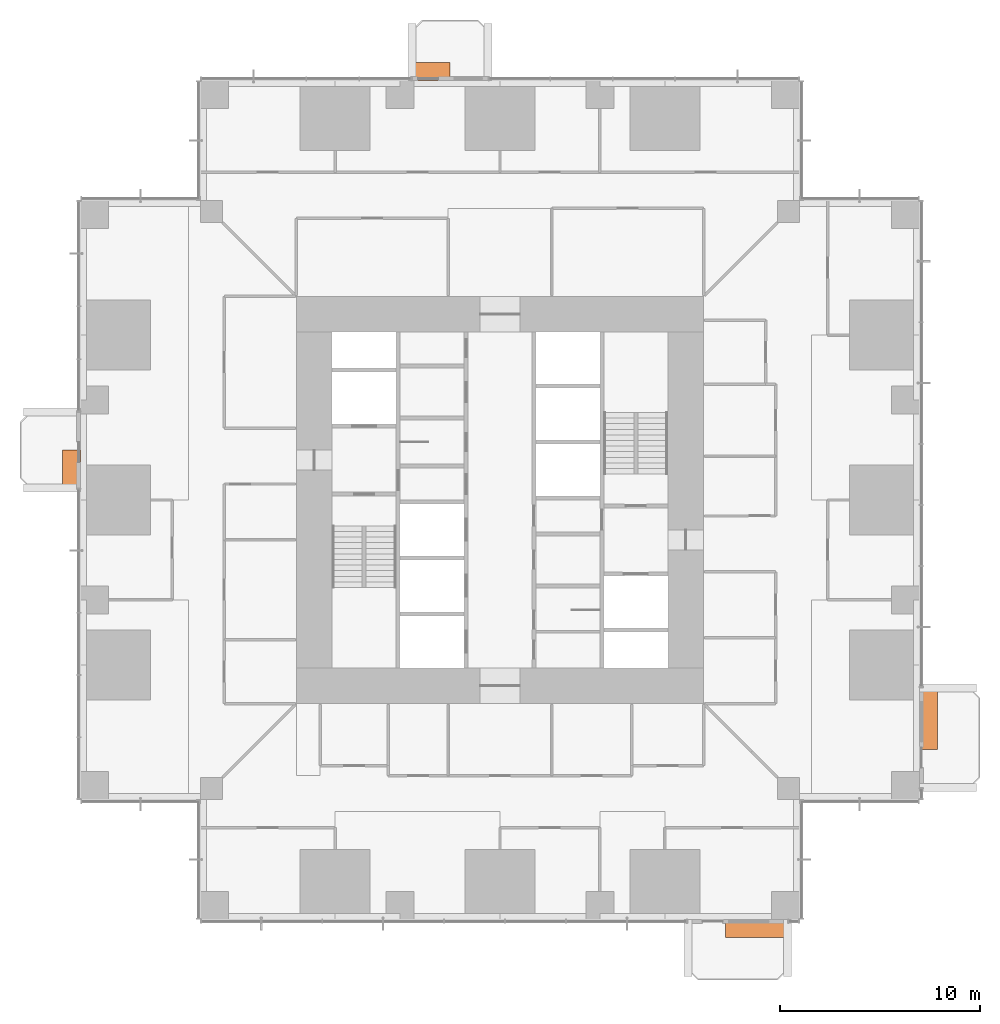
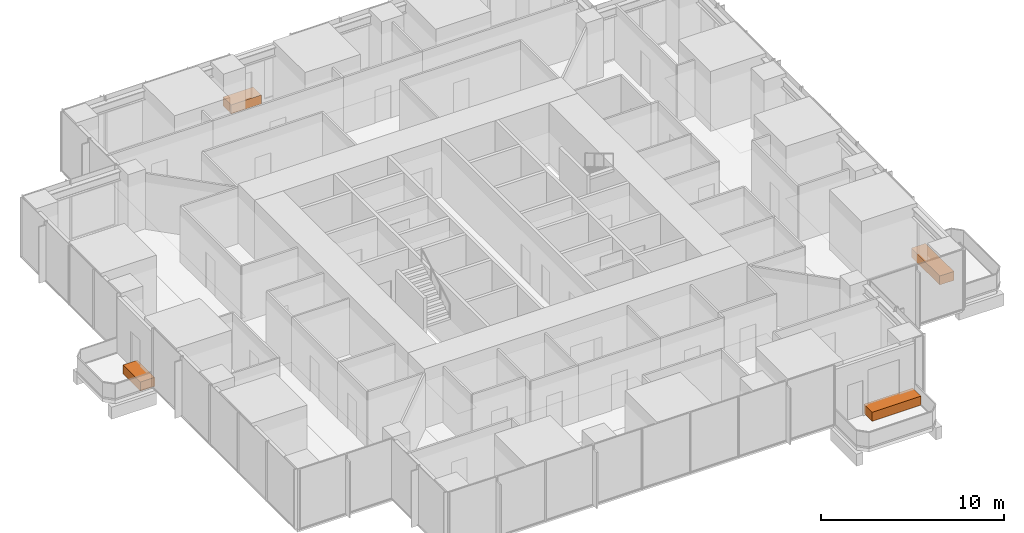
# One storey, part 16 of 16: 4 proxies.
"""IFC4 building model written with IfcOpenShell, lengths in metres."""

from ifc_helpers import new_model, si_unit, direction, frame, origin, origin_2d, place, context, subcontext, project, spatial, rectangle, extrude, element, save


model = new_model("IFC4")

# Units and contexts
model_context = context("Model", 3, precision=1e-05, world=origin(), true_north=direction((0.0, 1.0)))
body_context = subcontext(model_context, "Body", "Model", "MODEL_VIEW")
ifc_project = project(units=[si_unit("LENGTHUNIT", "METRE"), si_unit("AREAUNIT", "SQUARE_METRE"), si_unit("VOLUMEUNIT", "CUBIC_METRE"), si_unit("PLANEANGLEUNIT", "RADIAN"), si_unit("MASSUNIT", "GRAM", prefix="KILO")], contexts=[model_context])

# Site, building, storey
site_placement = place(None, origin())
site = spatial("IfcSite", under=ifc_project, at=site_placement, CompositionType="ELEMENT")
building_placement = place(site_placement, origin())
building = spatial("IfcBuilding", under=site, at=building_placement, Name="Svetlomir Tower", CompositionType="ELEMENT")
storey_placement = place(building_placement, frame((0.0, 0.0, 50.5)))
storey = spatial("IfcBuildingStorey", under=building, at=storey_placement, Name="L11", CompositionType="ELEMENT", Elevation=50.5)

# Proxies
proxy_1_placement = place(storey_placement, frame((33.85009765625, -0.449951171875, 0.0400390625), z_axis=(0.0, 0.0, 1.0), x_axis=(1.0, 0.0, 0.0)))
element("IfcBuildingElementProxy", 1, at=proxy_1_placement, inside=storey, Name="Tree planter S L11", ObjectType="PLANTER", PredefinedType="USERDEFINED", context=body_context, shape_type="SweptSolid", body=[
    extrude(rectangle(XDim=3.10009765625, YDim=0.89990234375, at=origin_2d()), origin(), (0.0, 0.0, 1.0), 0.60009765625),
])
proxy_2_placement = place(storey_placement, frame((42.449951171875, 10.050048828125, 0.0400390625), z_axis=(0.0, 0.0, 1.0), x_axis=(1.0, 0.0, 0.0)))
element("IfcBuildingElementProxy", 2, at=proxy_2_placement, inside=storey, Name="Tree planter E L11", ObjectType="PLANTER", PredefinedType="USERDEFINED", context=body_context, shape_type="SweptSolid", body=[
    extrude(rectangle(XDim=0.89990234375, YDim=3.10009765625, at=origin_2d()), origin(), (0.0, 0.0, 1.0), 0.60009765625),
])
proxy_3_placement = place(storey_placement, frame((17.550048828125, 42.449951171875, 0.0400390625), z_axis=(0.0, 0.0, 1.0), x_axis=(1.0, 0.0, 0.0)))
element("IfcBuildingElementProxy", 3, at=proxy_3_placement, inside=storey, Name="Tree planter N L11", ObjectType="PLANTER", PredefinedType="USERDEFINED", context=body_context, shape_type="SweptSolid", body=[
    extrude(rectangle(XDim=1.89990234375, YDim=0.89990234375, at=origin_2d()), origin(), (0.0, 0.0, 1.0), 0.60009765625),
])
proxy_4_placement = place(storey_placement, frame((-0.449951171875, 22.550048828125, 0.0400390625), z_axis=(0.0, 0.0, 1.0), x_axis=(1.0, 0.0, 0.0)))
element("IfcBuildingElementProxy", 4, at=proxy_4_placement, inside=storey, Name="Tree planter W L11", ObjectType="PLANTER", PredefinedType="USERDEFINED", context=body_context, shape_type="SweptSolid", body=[
    extrude(rectangle(XDim=0.89990234375, YDim=1.89990234375, at=origin_2d()), origin(), (0.0, 0.0, 1.0), 0.60009765625),
])

save(model, "model.ifc")
